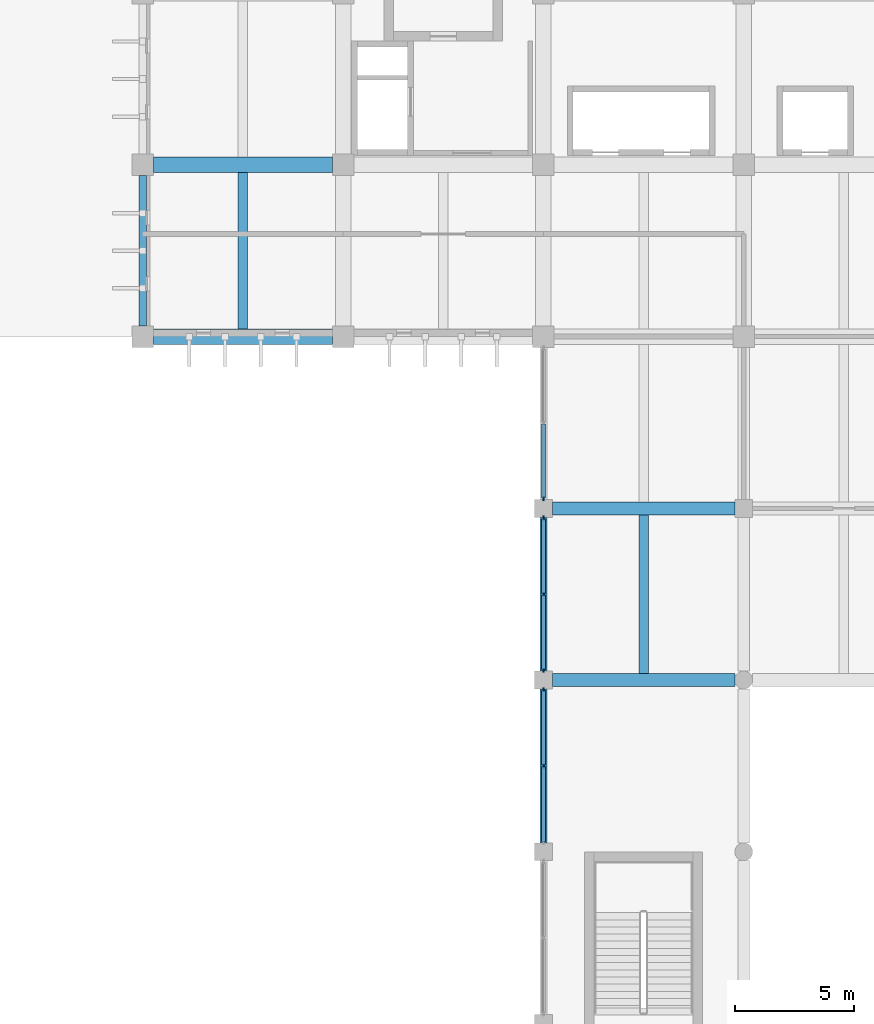
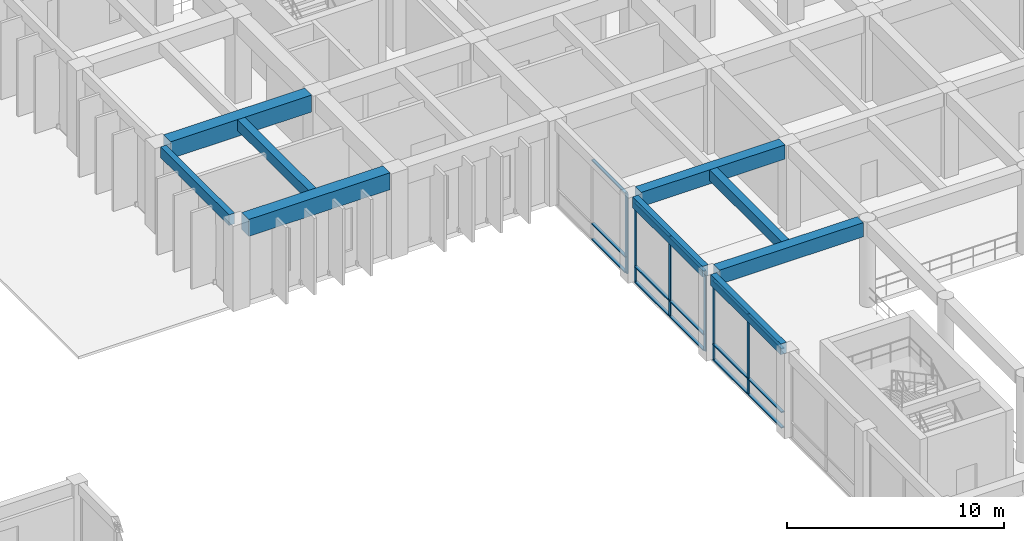
# One storey, part 20 of 52: 21 members, 9 beams, 3 elements without a shape of their own.
"""IFC4 building model written with IfcOpenShell, lengths in metres."""

from ifc_helpers import new_model, si_unit, direction, frame, origin, origin_2d, place, context, subcontext, project, spatial, rectangle, extrude, material, material_profile, profile_set, type_object, element, aggregate, save


model = new_model("IFC4")

# Units and contexts
model_context = context("Model", 3, precision=1e-05, world=origin(), true_north=direction((0.0, 1.0)))
body_context = subcontext(model_context, "Body", "Model", "MODEL_VIEW")
ifc_project = project(units=[si_unit("LENGTHUNIT", "METRE"), si_unit("AREAUNIT", "SQUARE_METRE"), si_unit("VOLUMEUNIT", "CUBIC_METRE"), si_unit("PLANEANGLEUNIT", "RADIAN"), si_unit("MASSUNIT", "GRAM", prefix="KILO")], contexts=[model_context])

# Site, building, storey
site_placement = place(None, origin())
site = spatial("IfcSite", under=ifc_project, at=site_placement, CompositionType="ELEMENT")
building_placement = place(site_placement, origin())
building = spatial("IfcBuilding", under=site, at=building_placement, Name="Kenerak Square Central Library", CompositionType="ELEMENT")
storey_placement = place(building_placement, frame((0.0, 0.0, 4.800048828125)))
storey = spatial("IfcBuildingStorey", under=building, at=storey_placement, Name="L01", CompositionType="ELEMENT", Elevation=4.800048828125)

# Beams
ifc_material_1 = material(Name="Concrete C45/55", Category="concrete")
ifc_material_profile_1 = material_profile(ifc_material_1, rectangle(XDim=0.64990234375, YDim=0.949951171875, at=origin_2d()), Name="RC 650x950")
ifc_profile_set_1 = profile_set([ifc_material_profile_1], Name="Concrete C45/55")
beam_type_1 = type_object("IfcBeamType", Name="Book Stack Girder B-02 RC 650x950 C45/55", PredefinedType="BEAM", material=ifc_profile_set_1)
for number, where, z_axis, x_axis, name in (
    (1, (50.449951171875, 88.800048828125, 4.324951171875), (1.0, 0.0, 0.0), (0.0, 1.0, 0.0), "Beam B-02 L01 0943"),
    (2, (50.449951171875, 96.0, 4.324951171875), (1.0, 0.0, 0.0), (0.0, 1.0, 0.0), "Beam B-02 L01 0953"),
):
    element("IfcBeam", number, at=place(storey_placement, frame(where, z_axis=z_axis, x_axis=x_axis)), inside=storey, type_object=beam_type_1, Name=name, PredefinedType="BEAM", context=body_context, shape_type="SweptSolid", body=[
        extrude(rectangle(XDim=0.64990234375, YDim=0.949951171875, at=origin_2d()), origin(), (0.0, 0.0, 1.0), 7.5),
    ])
ifc_material_2 = material(Name="Concrete C40/50", Category="concrete")
ifc_material_profile_2 = material_profile(ifc_material_2, rectangle(XDim=0.300048828125, YDim=0.60009765625, at=origin_2d()), Name="RC 300x600")
ifc_profile_set_2 = profile_set([ifc_material_profile_2], Name="Concrete C40/50")
beam_type_2 = type_object("IfcBeamType", Name="Courtyard Spandrel Beam SP-02 RC 300x600 C40/50", PredefinedType="SPANDREL", material=ifc_profile_set_2)
beam_1_placement = place(storey_placement, frame((50.0, 89.25, 4.5), z_axis=(0.0, 1.0, 0.0), x_axis=(-1.0, 0.0, 0.0)))
element("IfcBeam", 3, at=beam_1_placement, inside=storey, type_object=beam_type_2, Name="Beam SP-02 L01 1002", PredefinedType="SPANDREL", context=body_context, shape_type="SweptSolid", body=[
    extrude(rectangle(XDim=0.300048828125, YDim=0.60009765625, at=origin_2d()), origin(), (0.0, 0.0, 1.0), 6.300048828125),
])
beam_2_placement = place(storey_placement, frame((66.800048828125, 67.574951171875, 4.5), z_axis=(0.0, 1.0, 0.0), x_axis=(-1.0, 0.0, 0.0)))
element("IfcBeam", 4, at=beam_2_placement, inside=storey, type_object=beam_type_2, Name="Beam SP-02 L01 1014", PredefinedType="SPANDREL", context=body_context, shape_type="SweptSolid", body=[
    extrude(rectangle(XDim=0.300048828125, YDim=0.60009765625, at=origin_2d()), origin(), (0.0, 0.0, 1.0), 6.449951171875),
])
beam_3_placement = place(storey_placement, frame((66.800048828125, 74.77490234375, 4.5), z_axis=(0.0, 1.0, 0.0), x_axis=(-1.0, 0.0, 0.0)))
element("IfcBeam", 5, at=beam_3_placement, inside=storey, type_object=beam_type_2, Name="Beam SP-02 L01 1015", PredefinedType="SPANDREL", context=body_context, shape_type="SweptSolid", body=[
    extrude(rectangle(XDim=0.300048828125, YDim=0.60009765625, at=origin_2d()), origin(), (0.0, 0.0, 1.0), 6.4501953125),
])

# Curtain wall, members
ifc_material_3 = material(Name="Anodised aluminium and solar-control low-E glazing", Category="aluminium")
curtain_wall_type_1 = type_object("IfcCurtainWallType", Name="Curtain Wall CW-V4-64x45 6450x4500", PredefinedType="USERDEFINED", material=ifc_material_3)
curtain_wall_1_placement = place(storey_placement, origin())
curtain_wall_1 = element("IfcCurtainWall", 6, at=curtain_wall_1_placement, inside=storey, type_object=curtain_wall_type_1, Name="Curtain Wall CW-V4-64x45 L01 0025", ObjectType="CURTAIN WALL", PredefinedType="USERDEFINED")
ifc_material_4 = material(Name="Anodised aluminium 6063-T6", Category="aluminium")
ifc_material_profile_3 = material_profile(ifc_material_4, rectangle(XDim=0.06494140625, YDim=0.179931640625, at=origin_2d()), Name="AL MULLION 65x180")
ifc_profile_set_3 = profile_set([ifc_material_profile_3], Name="Anodised aluminium 6063-T6")
member_type_1 = type_object("IfcMemberType", Name="Curtain Mullion CM-01 65x180", PredefinedType="MULLION", material=ifc_profile_set_3)
member_1_placement = place(storey_placement, frame((66.800048828125, 70.800048828125, 0.0), z_axis=(0.0, 0.0, 1.0), x_axis=(-1.0, 0.0, 0.0)))
member_1 = element("IfcMember", 7, at=member_1_placement, type_object=member_type_1, Name="CW-V4-64x45 Mullion 2", PredefinedType="MULLION", context=body_context, shape_type="SweptSolid", body=[
    extrude(rectangle(XDim=0.06494140625, YDim=0.179931640625, at=origin_2d()), origin(), (0.0, 0.0, 1.0), 4.5),
])
member_2_placement = place(storey_placement, frame((66.800048828125, 73.992431640625, 0.0), z_axis=(0.0, 0.0, 1.0), x_axis=(-1.0, 0.0, 0.0)))
member_2 = element("IfcMember", 8, at=member_2_placement, type_object=member_type_1, Name="CW-V4-64x45 Mullion 3", PredefinedType="MULLION", context=body_context, shape_type="SweptSolid", body=[
    extrude(rectangle(XDim=0.06494140625, YDim=0.179931640625, at=origin_2d()), origin(), (0.0, 0.0, 1.0), 4.5),
])

curtain_wall_2_placement = place(storey_placement, origin())
curtain_wall_2 = element("IfcCurtainWall", 9, at=curtain_wall_2_placement, inside=storey, type_object=curtain_wall_type_1, Name="Curtain Wall CW-V4-64x45 L01 0026", ObjectType="CURTAIN WALL", PredefinedType="USERDEFINED")
member_3_placement = place(storey_placement, frame((66.800048828125, 74.8076171875, 0.0), z_axis=(0.0, 0.0, 1.0), x_axis=(-1.0, 0.0, 0.0)))
member_3 = element("IfcMember", 10, at=member_3_placement, type_object=member_type_1, Name="CW-V4-64x45 Mullion 1", PredefinedType="MULLION", context=body_context, shape_type="SweptSolid", body=[
    extrude(rectangle(XDim=0.06494140625, YDim=0.179931640625, at=origin_2d()), origin(), (0.0, 0.0, 1.0), 4.5),
])
member_4_placement = place(storey_placement, frame((66.800048828125, 78.0, 0.0), z_axis=(0.0, 0.0, 1.0), x_axis=(-1.0, 0.0, 0.0)))
member_4 = element("IfcMember", 11, at=member_4_placement, type_object=member_type_1, Name="CW-V4-64x45 Mullion 2", PredefinedType="MULLION", context=body_context, shape_type="SweptSolid", body=[
    extrude(rectangle(XDim=0.06494140625, YDim=0.179931640625, at=origin_2d()), origin(), (0.0, 0.0, 1.0), 4.5),
])
member_5_placement = place(storey_placement, frame((66.800048828125, 81.1923828125, 0.0), z_axis=(0.0, 0.0, 1.0), x_axis=(-1.0, 0.0, 0.0)))
member_5 = element("IfcMember", 12, at=member_5_placement, type_object=member_type_1, Name="CW-V4-64x45 Mullion 3", PredefinedType="MULLION", context=body_context, shape_type="SweptSolid", body=[
    extrude(rectangle(XDim=0.06494140625, YDim=0.179931640625, at=origin_2d()), origin(), (0.0, 0.0, 1.0), 4.5),
])

# Curtain wall, member
curtain_wall_type_2 = type_object("IfcCurtainWallType", Name="Curtain Wall CW-V4-63x45 6375x4500", PredefinedType="USERDEFINED", material=ifc_material_3)
curtain_wall_3_placement = place(storey_placement, origin())
curtain_wall_3 = element("IfcCurtainWall", 13, at=curtain_wall_3_placement, inside=storey, type_object=curtain_wall_type_2, Name="Curtain Wall CW-V4-63x45 L01 0027", ObjectType="CURTAIN WALL", PredefinedType="USERDEFINED")
member_6_placement = place(storey_placement, frame((66.800048828125, 82.007568359375, 0.0), z_axis=(0.0, 0.0, 1.0), x_axis=(-1.0, 0.0, 0.0)))
member_6 = element("IfcMember", 14, at=member_6_placement, type_object=member_type_1, Name="CW-V4-63x45 Mullion 1", PredefinedType="MULLION", context=body_context, shape_type="SweptSolid", body=[
    extrude(rectangle(XDim=0.06494140625, YDim=0.179931640625, at=origin_2d()), origin(), (0.0, 0.0, 1.0), 4.5),
])

# Member
ifc_material_profile_4 = material_profile(ifc_material_4, rectangle(XDim=0.159912109375, YDim=0.06494140625, at=origin_2d()), Name="AL TRANSOM 160x65")
ifc_profile_set_4 = profile_set([ifc_material_profile_4], Name="Anodised aluminium 6063-T6")
member_type_2 = type_object("IfcMemberType", Name="Curtain Transom CT-11 160x65", PredefinedType="USERDEFINED", material=ifc_profile_set_4)
member_7_placement = place(storey_placement, frame((66.800048828125, 67.639892578125, 0.032470703125), z_axis=(0.0, 1.0, 0.0), x_axis=(-1.0, 0.0, 0.0)))
member_7 = element("IfcMember", 15, at=member_7_placement, type_object=member_type_2, Name="CW-V4-64x45 Transom 1.1", ObjectType="TRANSOM", PredefinedType="USERDEFINED", context=body_context, shape_type="SweptSolid", body=[
    extrude(rectangle(XDim=0.159912109375, YDim=0.06494140625, at=origin_2d()), origin(), (0.0, 0.0, 1.0), 3.127685546875),
])

member_8_placement = place(storey_placement, frame((66.800048828125, 67.639892578125, 0.89990234375), z_axis=(0.0, 1.0, 0.0), x_axis=(-1.0, 0.0, 0.0)))
member_8 = element("IfcMember", 16, at=member_8_placement, type_object=member_type_2, Name="CW-V4-64x45 Transom 1.2", ObjectType="TRANSOM", PredefinedType="USERDEFINED", context=body_context, shape_type="SweptSolid", body=[
    extrude(rectangle(XDim=0.159912109375, YDim=0.06494140625, at=origin_2d()), origin(), (0.0, 0.0, 1.0), 3.127685546875),
])

member_9_placement = place(storey_placement, frame((66.800048828125, 67.639892578125, 4.467529296875), z_axis=(0.0, 1.0, 0.0), x_axis=(-1.0, 0.0, 0.0)))
member_9 = element("IfcMember", 17, at=member_9_placement, type_object=member_type_2, Name="CW-V4-64x45 Transom 1.3", ObjectType="TRANSOM", PredefinedType="USERDEFINED", context=body_context, shape_type="SweptSolid", body=[
    extrude(rectangle(XDim=0.159912109375, YDim=0.06494140625, at=origin_2d()), origin(), (0.0, 0.0, 1.0), 3.127685546875),
])

member_10_placement = place(storey_placement, frame((66.800048828125, 70.83251953125, 0.032470703125), z_axis=(0.0, 1.0, 0.0), x_axis=(-1.0, 0.0, 0.0)))
member_10 = element("IfcMember", 18, at=member_10_placement, type_object=member_type_2, Name="CW-V4-64x45 Transom 2.1", ObjectType="TRANSOM", PredefinedType="USERDEFINED", context=body_context, shape_type="SweptSolid", body=[
    extrude(rectangle(XDim=0.159912109375, YDim=0.06494140625, at=origin_2d()), origin(), (0.0, 0.0, 1.0), 3.12744140625),
])

member_11_placement = place(storey_placement, frame((66.800048828125, 70.83251953125, 0.89990234375), z_axis=(0.0, 1.0, 0.0), x_axis=(-1.0, 0.0, 0.0)))
member_11 = element("IfcMember", 19, at=member_11_placement, type_object=member_type_2, Name="CW-V4-64x45 Transom 2.2", ObjectType="TRANSOM", PredefinedType="USERDEFINED", context=body_context, shape_type="SweptSolid", body=[
    extrude(rectangle(XDim=0.159912109375, YDim=0.06494140625, at=origin_2d()), origin(), (0.0, 0.0, 1.0), 3.12744140625),
])

member_12_placement = place(storey_placement, frame((66.800048828125, 70.83251953125, 4.467529296875), z_axis=(0.0, 1.0, 0.0), x_axis=(-1.0, 0.0, 0.0)))
member_12 = element("IfcMember", 20, at=member_12_placement, type_object=member_type_2, Name="CW-V4-64x45 Transom 2.3", ObjectType="TRANSOM", PredefinedType="USERDEFINED", context=body_context, shape_type="SweptSolid", body=[
    extrude(rectangle(XDim=0.159912109375, YDim=0.06494140625, at=origin_2d()), origin(), (0.0, 0.0, 1.0), 3.12744140625),
])

aggregate(curtain_wall_1, [member_1, member_2, member_7, member_8, member_9, member_10, member_11, member_12])

member_13_placement = place(storey_placement, frame((66.800048828125, 74.840087890625, 0.032470703125), z_axis=(0.0, 1.0, 0.0), x_axis=(-1.0, 0.0, 0.0)))
member_13 = element("IfcMember", 21, at=member_13_placement, type_object=member_type_2, Name="CW-V4-64x45 Transom 1.1", ObjectType="TRANSOM", PredefinedType="USERDEFINED", context=body_context, shape_type="SweptSolid", body=[
    extrude(rectangle(XDim=0.159912109375, YDim=0.06494140625, at=origin_2d()), origin(), (0.0, 0.0, 1.0), 3.12744140625),
])

member_14_placement = place(storey_placement, frame((66.800048828125, 74.840087890625, 0.89990234375), z_axis=(0.0, 1.0, 0.0), x_axis=(-1.0, 0.0, 0.0)))
member_14 = element("IfcMember", 22, at=member_14_placement, type_object=member_type_2, Name="CW-V4-64x45 Transom 1.2", ObjectType="TRANSOM", PredefinedType="USERDEFINED", context=body_context, shape_type="SweptSolid", body=[
    extrude(rectangle(XDim=0.159912109375, YDim=0.06494140625, at=origin_2d()), origin(), (0.0, 0.0, 1.0), 3.12744140625),
])

member_15_placement = place(storey_placement, frame((66.800048828125, 74.840087890625, 4.467529296875), z_axis=(0.0, 1.0, 0.0), x_axis=(-1.0, 0.0, 0.0)))
member_15 = element("IfcMember", 23, at=member_15_placement, type_object=member_type_2, Name="CW-V4-64x45 Transom 1.3", ObjectType="TRANSOM", PredefinedType="USERDEFINED", context=body_context, shape_type="SweptSolid", body=[
    extrude(rectangle(XDim=0.159912109375, YDim=0.06494140625, at=origin_2d()), origin(), (0.0, 0.0, 1.0), 3.12744140625),
])

member_16_placement = place(storey_placement, frame((66.800048828125, 78.032470703125, 0.032470703125), z_axis=(0.0, 1.0, 0.0), x_axis=(-1.0, 0.0, 0.0)))
member_16 = element("IfcMember", 24, at=member_16_placement, type_object=member_type_2, Name="CW-V4-64x45 Transom 2.1", ObjectType="TRANSOM", PredefinedType="USERDEFINED", context=body_context, shape_type="SweptSolid", body=[
    extrude(rectangle(XDim=0.159912109375, YDim=0.06494140625, at=origin_2d()), origin(), (0.0, 0.0, 1.0), 3.12744140625),
])

member_17_placement = place(storey_placement, frame((66.800048828125, 78.032470703125, 0.89990234375), z_axis=(0.0, 1.0, 0.0), x_axis=(-1.0, 0.0, 0.0)))
member_17 = element("IfcMember", 25, at=member_17_placement, type_object=member_type_2, Name="CW-V4-64x45 Transom 2.2", ObjectType="TRANSOM", PredefinedType="USERDEFINED", context=body_context, shape_type="SweptSolid", body=[
    extrude(rectangle(XDim=0.159912109375, YDim=0.06494140625, at=origin_2d()), origin(), (0.0, 0.0, 1.0), 3.12744140625),
])

member_18_placement = place(storey_placement, frame((66.800048828125, 78.032470703125, 4.467529296875), z_axis=(0.0, 1.0, 0.0), x_axis=(-1.0, 0.0, 0.0)))
member_18 = element("IfcMember", 26, at=member_18_placement, type_object=member_type_2, Name="CW-V4-64x45 Transom 2.3", ObjectType="TRANSOM", PredefinedType="USERDEFINED", context=body_context, shape_type="SweptSolid", body=[
    extrude(rectangle(XDim=0.159912109375, YDim=0.06494140625, at=origin_2d()), origin(), (0.0, 0.0, 1.0), 3.12744140625),
])

aggregate(curtain_wall_2, [member_3, member_4, member_5, member_13, member_14, member_15, member_16, member_17, member_18])

member_19_placement = place(storey_placement, frame((66.800048828125, 82.0400390625, 0.032470703125), z_axis=(0.0, 1.0, 0.0), x_axis=(-1.0, 0.0, 0.0)))
member_19 = element("IfcMember", 27, at=member_19_placement, type_object=member_type_2, Name="CW-V4-63x45 Transom 1.1", ObjectType="TRANSOM", PredefinedType="USERDEFINED", context=body_context, shape_type="SweptSolid", body=[
    extrude(rectangle(XDim=0.159912109375, YDim=0.06494140625, at=origin_2d()), origin(), (0.0, 0.0, 1.0), 3.08984375),
])

member_20_placement = place(storey_placement, frame((66.800048828125, 82.0400390625, 0.89990234375), z_axis=(0.0, 1.0, 0.0), x_axis=(-1.0, 0.0, 0.0)))
member_20 = element("IfcMember", 28, at=member_20_placement, type_object=member_type_2, Name="CW-V4-63x45 Transom 1.2", ObjectType="TRANSOM", PredefinedType="USERDEFINED", context=body_context, shape_type="SweptSolid", body=[
    extrude(rectangle(XDim=0.159912109375, YDim=0.06494140625, at=origin_2d()), origin(), (0.0, 0.0, 1.0), 3.08984375),
])

member_21_placement = place(storey_placement, frame((66.800048828125, 82.0400390625, 4.467529296875), z_axis=(0.0, 1.0, 0.0), x_axis=(-1.0, 0.0, 0.0)))
member_21 = element("IfcMember", 29, at=member_21_placement, type_object=member_type_2, Name="CW-V4-63x45 Transom 1.3", ObjectType="TRANSOM", PredefinedType="USERDEFINED", context=body_context, shape_type="SweptSolid", body=[
    extrude(rectangle(XDim=0.159912109375, YDim=0.06494140625, at=origin_2d()), origin(), (0.0, 0.0, 1.0), 3.08984375),
])

aggregate(curtain_wall_3, [member_6, member_19, member_20, member_21])

# Beams
ifc_material_profile_5 = material_profile(ifc_material_2, rectangle(XDim=0.550048828125, YDim=0.800048828125, at=origin_2d()), Name="RC 550x800")
ifc_profile_set_5 = profile_set([ifc_material_profile_5], Name="Concrete C40/50")
beam_type_3 = type_object("IfcBeamType", Name="Primary Reading Beam B-04 RC 550x800 C40/50", PredefinedType="BEAM", material=ifc_profile_set_5)
for number, where, z_axis, x_axis, name in (
    (30, (67.175048828125, 74.39990234375, 4.39990234375), (1.0, 0.0, 0.0), (0.0, 1.0, 0.0), "Beam B-04 L01 0931"),
    (31, (67.175048828125, 81.60009765625, 4.39990234375), (1.0, 0.0, 0.0), (0.0, 1.0, 0.0), "Beam B-04 L01 0937"),
):
    element("IfcBeam", number, at=place(storey_placement, frame(where, z_axis=z_axis, x_axis=x_axis)), inside=storey, type_object=beam_type_3, Name=name, PredefinedType="BEAM", context=body_context, shape_type="SweptSolid", body=[
        extrude(rectangle(XDim=0.550048828125, YDim=0.800048828125, at=origin_2d()), origin(), (0.0, 0.0, 1.0), 7.64990234375),
    ])
ifc_material_profile_6 = material_profile(ifc_material_2, rectangle(XDim=0.39990234375, YDim=0.60009765625, at=origin_2d()), Name="RC 400x600")
ifc_profile_set_6 = profile_set([ifc_material_profile_6], Name="Concrete C40/50")
beam_type_4 = type_object("IfcBeamType", Name="Secondary Floor Joist J-01 RC 400x600 C40/50", PredefinedType="JOIST", material=ifc_profile_set_6)
beam_4_placement = place(storey_placement, frame((54.199951171875, 89.125, 4.5), z_axis=(0.0, 1.0, 0.0), x_axis=(-1.0, 0.0, 0.0)))
element("IfcBeam", 32, at=beam_4_placement, inside=storey, type_object=beam_type_4, Name="Joist J-01 L01 1106", PredefinedType="JOIST", context=body_context, shape_type="SweptSolid", body=[
    extrude(rectangle(XDim=0.39990234375, YDim=0.60009765625, at=origin_2d()), origin(), (0.0, 0.0, 1.0), 6.550048828125),
])
beam_5_placement = place(storey_placement, frame((71.0, 74.675048828125, 4.5), z_axis=(0.0, 1.0, 0.0), x_axis=(-1.0, 0.0, 0.0)))
element("IfcBeam", 33, at=beam_5_placement, inside=storey, type_object=beam_type_4, Name="Joist J-01 L01 1117", PredefinedType="JOIST", context=body_context, shape_type="SweptSolid", body=[
    extrude(rectangle(XDim=0.39990234375, YDim=0.60009765625, at=origin_2d()), origin(), (0.0, 0.0, 1.0), 6.64990234375),
])

save(model, "model.ifc")
